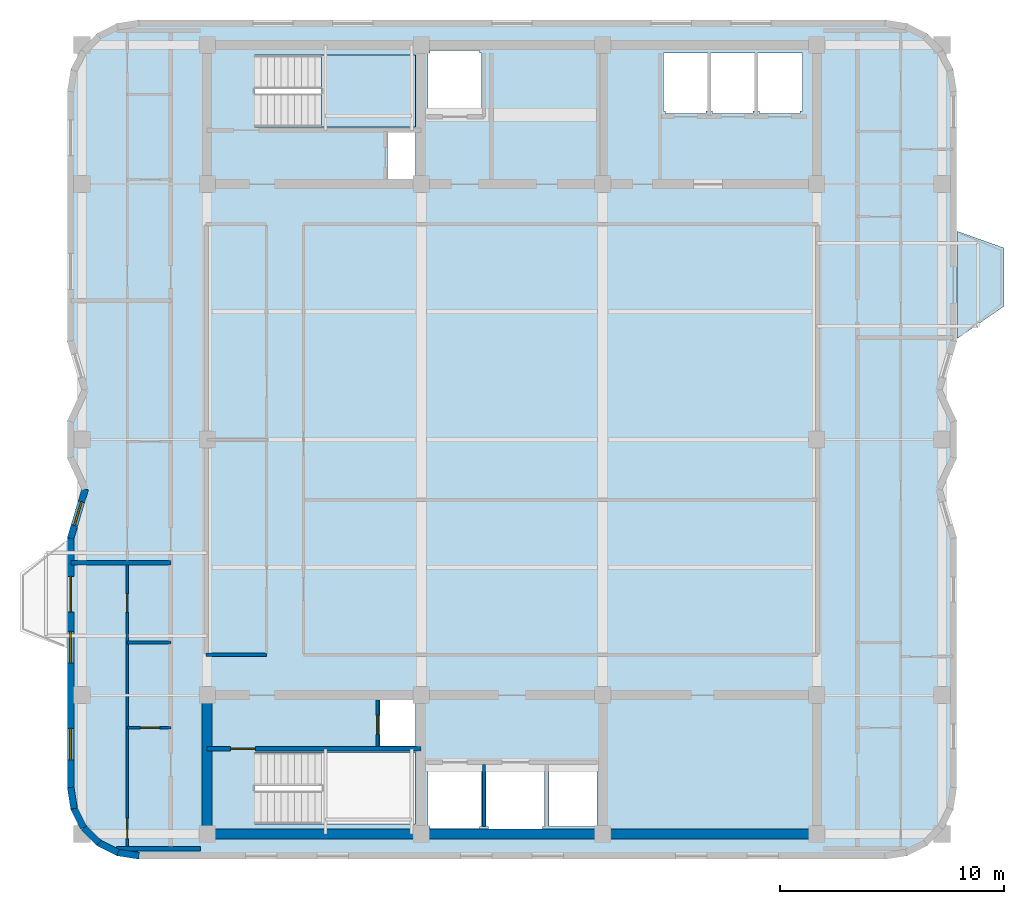
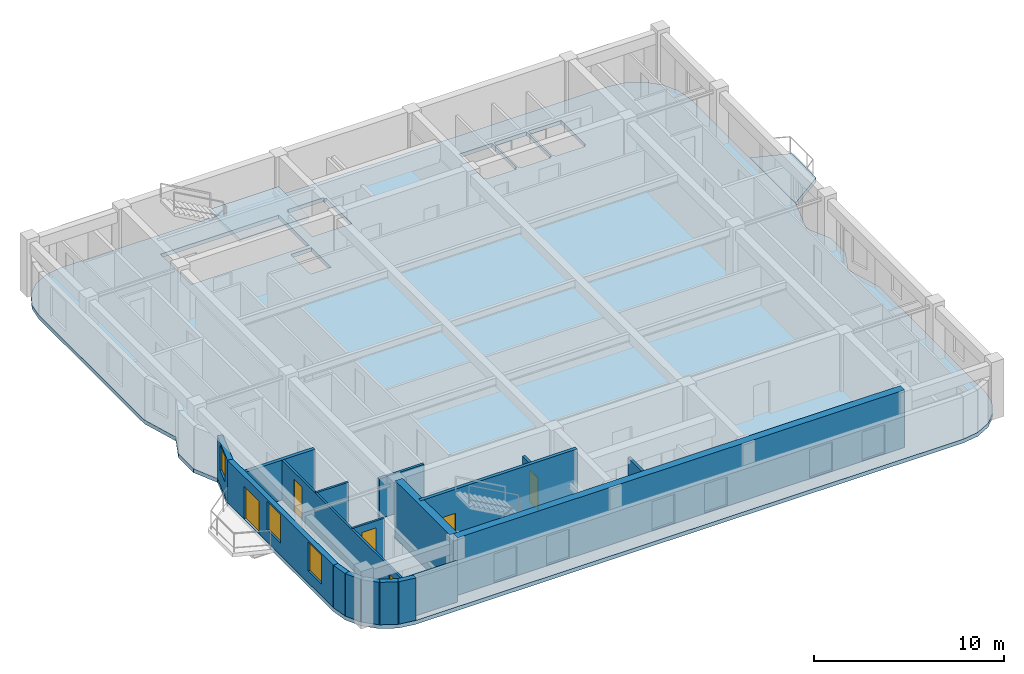
# One storey, part 2 of 8: 18 walls, 6 doors, 3 slabs, 3 windows, 9 openings, 1 element without a shape of its own.
"""IFC4 building model written with IfcOpenShell, lengths in metres."""

from ifc_helpers import new_model, si_unit, direction, frame, frame_2d, origin, place, context, subcontext, project, spatial, polyline, rectangle, outline, extrude, material, layer, layer_set, type_object, element, fill, aggregate, save


model = new_model("IFC4")

# Units and contexts
model_context = context("Model", 3, precision=1e-05, world=origin(), true_north=direction((0.0, 1.0)))
body_context = subcontext(model_context, "Body", "Model", "MODEL_VIEW")
ifc_project = project(units=[si_unit("LENGTHUNIT", "METRE"), si_unit("AREAUNIT", "SQUARE_METRE"), si_unit("VOLUMEUNIT", "CUBIC_METRE"), si_unit("PLANEANGLEUNIT", "RADIAN"), si_unit("MASSUNIT", "GRAM", prefix="KILO")], contexts=[model_context])

# Site, building, storey
site_placement = place(None, origin())
site = spatial("IfcSite", under=ifc_project, at=site_placement, CompositionType="ELEMENT")
building_placement = place(site_placement, origin())
building = spatial("IfcBuilding", under=site, at=building_placement, Name="Svetorya Sky Lyceum", CompositionType="ELEMENT")
storey_placement = place(building_placement, frame((0.0, 0.0, 286.10009765625)))
storey = spatial("IfcBuildingStorey", under=building, at=storey_placement, Name="L72", CompositionType="ELEMENT", Elevation=286.10009765625)

# Slab
ifc_material_1 = material(Name="Concrete C40/50", Category="concrete")
ifc_layer_1 = layer(ifc_material_1, 0.25)
ifc_layer_set_1 = layer_set([ifc_layer_1], Name="Concrete C40/50")
slab_type_1 = type_object("IfcSlabType", Name="SL-BAL-250", PredefinedType="FLOOR", material=ifc_layer_set_1)
slab_1_placement = place(storey_placement, frame((0.0, 0.0, -0.25)))
element("IfcSlab", 1, at=slab_1_placement, inside=storey, type_object=slab_type_1, Name="L72 Chamfered Loggia Balcony BAL-E1", PredefinedType="FLOOR", context=body_context, shape_type="SweptSolid", body=[
    extrude(outline(polyline([(59.050048828125, 32.699951171875), (61.14990234375, 34.14990234375), (61.14990234375, 36.75), (59.050048828125, 37.5), (59.050048828125, 32.699951171875)])), origin(), (0.0, 0.0, 1.0), 0.25),
])

# Stair, slab
stair_type = type_object("IfcStairType", Name="STR-ST-N", PredefinedType="HALF_TURN_STAIR", material=ifc_material_1)
stair_placement = place(storey_placement, origin())
stair = element("IfcStair", 2, at=stair_placement, inside=storey, type_object=stair_type, Name="L72 North Core Smoke-Free Exit Stair N3", PredefinedType="HALF_TURN_STAIR")
ifc_layer_2 = layer(ifc_material_1, 0.199951171875)
ifc_layer_set_2 = layer_set([ifc_layer_2], Name="Concrete C40/50")
slab_type_2 = type_object("IfcSlabType", Name="SL-STR-LAND-200", PredefinedType="LANDING", material=ifc_layer_set_2)
slab_2_placement = place(storey_placement, frame((0.0, 0.0, 1.64990234375)))
slab_2 = element("IfcSlab", 3, at=slab_2_placement, type_object=slab_type_2, Name="ST-N landing 1", PredefinedType="LANDING", context=body_context, shape_type="SweptSolid", body=[
    extrude(outline(polyline([(30.699951171875, 42.14990234375), (34.89990234375, 42.14990234375), (34.89990234375, 45.35009765625), (30.699951171875, 45.35009765625), (30.699951171875, 42.14990234375)])), origin(), (0.0, 0.0, 1.0), 0.199951171875),
])
aggregate(stair, [slab_2])

# Slab
ifc_layer_3 = layer(ifc_material_1, 0.25)
ifc_layer_set_3 = layer_set([ifc_layer_3], Name="Concrete C40/50")
slab_type_3 = type_object("IfcSlabType", Name="SL-TWR-250", PredefinedType="FLOOR", material=ifc_layer_set_3)
slab_3_placement = place(storey_placement, frame((0.0, 0.0, -0.25)))
element("IfcSlab", 4, at=slab_3_placement, inside=storey, type_object=slab_type_3, Name="L72 Structural Floor Slab", PredefinedType="FLOOR", context=body_context, shape_type="SweptSolid", body=[
    extrude(outline(polyline([(19.360107421875, 12.679931640625), (19.5166015625, 11.691162109375), (19.97119140625, 10.799072265625), (20.67919921875, 10.091064453125), (21.571044921875, 9.63671875), (22.56005859375, 9.47998046875), (55.840087890625, 9.47998046875), (56.828857421875, 9.63671875), (57.720947265625, 10.091064453125), (58.428955078125, 10.799072265625), (58.88330078125, 11.691162109375), (59.0400390625, 12.679931640625), (59.0400390625, 23.800048828125), (58.389892578125, 26.0), (59.0400390625, 27.39990234375), (59.0400390625, 29.0), (58.389892578125, 30.39990234375), (59.0400390625, 32.60009765625), (59.0400390625, 43.719970703125), (58.88330078125, 44.708984375), (58.428955078125, 45.600830078125), (57.720947265625, 46.308837890625), (56.828857421875, 46.763427734375), (55.840087890625, 46.919921875), (22.56005859375, 46.919921875), (21.571044921875, 46.763427734375), (20.67919921875, 46.308837890625), (19.97119140625, 45.600830078125), (19.5166015625, 44.708984375), (19.360107421875, 43.719970703125), (19.360107421875, 32.60009765625), (20.010009765625, 30.39990234375), (19.360107421875, 29.0), (19.360107421875, 27.39990234375), (20.010009765625, 26.0), (19.360107421875, 23.800048828125), (19.360107421875, 12.679931640625)]), holes=[polyline([(37.85009765625, 10.949951171875), (37.75, 10.949951171875), (37.75, 10.85009765625), (35.550048828125, 10.85009765625), (35.550048828125, 10.949951171875), (35.449951171875, 10.949951171875), (35.449951171875, 13.64990234375), (35.550048828125, 13.64990234375), (37.75, 13.64990234375), (37.85009765625, 13.64990234375), (37.85009765625, 10.949951171875)]), polyline([(38.14990234375, 10.800048828125), (38.14990234375, 10.949951171875), (38.050048828125, 10.949951171875), (38.050048828125, 13.64990234375), (38.14990234375, 13.64990234375), (38.14990234375, 13.699951171875), (40.550048828125, 13.699951171875), (40.550048828125, 13.64990234375), (40.64990234375, 13.64990234375), (40.64990234375, 10.949951171875), (40.550048828125, 10.949951171875), (40.550048828125, 10.800048828125), (38.14990234375, 10.800048828125)]), polyline([(27.719970703125, 11.050048828125), (27.719970703125, 14.25), (34.89990234375, 14.25), (34.89990234375, 11.050048828125), (27.719970703125, 11.050048828125)]), polyline([(33.300048828125, 14.52001953125), (33.300048828125, 16.580078125), (34.89990234375, 16.580078125), (34.89990234375, 14.52001953125), (33.300048828125, 14.52001953125)]), polyline([(33.64990234375, 39.820068359375), (33.64990234375, 41.89990234375), (34.89990234375, 41.89990234375), (34.89990234375, 39.820068359375), (33.64990234375, 39.820068359375)]), polyline([(27.719970703125, 42.14990234375), (27.719970703125, 45.35009765625), (34.89990234375, 45.35009765625), (34.89990234375, 42.14990234375), (27.719970703125, 42.14990234375)]), polyline([(37.75, 42.75), (35.550048828125, 42.75), (35.449951171875, 42.75), (35.449951171875, 45.449951171875), (35.550048828125, 45.449951171875), (35.550048828125, 45.550048828125), (37.75, 45.550048828125), (37.75, 45.449951171875), (37.85009765625, 45.449951171875), (37.85009765625, 42.75), (37.75, 42.75)]), polyline([(40.85009765625, 10.949951171875), (40.85009765625, 13.64990234375), (43.0, 13.64990234375), (43.0, 10.949951171875), (40.85009765625, 10.949951171875)]), polyline([(46.050048828125, 42.75), (46.050048828125, 42.85009765625), (45.949951171875, 42.85009765625), (45.949951171875, 45.449951171875), (46.050048828125, 45.449951171875), (47.85009765625, 45.449951171875), (47.949951171875, 45.449951171875), (47.949951171875, 42.85009765625), (47.85009765625, 42.85009765625), (47.85009765625, 42.75), (46.050048828125, 42.75)]), polyline([(50.050048828125, 42.85009765625), (49.949951171875, 42.85009765625), (49.949951171875, 42.75), (48.14990234375, 42.75), (48.14990234375, 42.85009765625), (48.050048828125, 42.85009765625), (48.050048828125, 45.449951171875), (48.14990234375, 45.449951171875), (49.949951171875, 45.449951171875), (50.050048828125, 45.449951171875), (50.050048828125, 42.85009765625)]), polyline([(52.14990234375, 42.85009765625), (52.050048828125, 42.85009765625), (52.050048828125, 42.75), (50.25, 42.75), (50.25, 42.85009765625), (50.14990234375, 42.85009765625), (50.14990234375, 45.449951171875), (50.25, 45.449951171875), (52.050048828125, 45.449951171875), (52.14990234375, 45.449951171875), (52.14990234375, 42.85009765625)])]), origin(), (0.0, 0.0, 1.0), 0.25),
])

# Walls
ifc_material_2 = material(Name="Concrete C50/60", Category="concrete")
ifc_layer_4 = layer(ifc_material_2, 0.449951171875)
ifc_layer_set_4 = layer_set([ifc_layer_4], Name="Concrete C50/60")
wall_type_1 = type_object("IfcWallType", Name="WL-CORE-450", PredefinedType="SHEAR", material=ifc_layer_set_4)
wall_1_placement = place(storey_placement, frame((52.800048828125, 10.60009765625, 0.0), z_axis=(0.0, 0.0, 1.0), x_axis=(-1.0, 0.0, 0.0)))
element("IfcWall", 5, at=wall_1_placement, inside=storey, type_object=wall_type_1, Name="L72 SC Outer Core Shear Wall", PredefinedType="SHEAR", context=body_context, shape_type="SweptSolid", body=[
    extrude(rectangle(XDim=27.199951171875, YDim=0.449951171875, at=frame_2d((13.60009765625, 0.0))), origin(), (0.0, 0.0, 1.0), 3.699951171875),
])
wall_2_placement = place(storey_placement, frame((25.60009765625, 10.824951171875, 0.0), z_axis=(0.0, 0.0, 1.0), x_axis=(0.0, 1.0, 0.0)))
element("IfcWall", 6, at=wall_2_placement, inside=storey, type_object=wall_type_1, Name="L72 SC West Core Shear Wall", PredefinedType="SHEAR", context=body_context, shape_type="SweptSolid", body=[
    extrude(rectangle(XDim=5.75, YDim=0.449951171875, at=frame_2d((2.875, 0.0))), origin(), (0.0, 0.0, 1.0), 3.699951171875),
])
ifc_material_3 = material(Name="Putilovo limestone rainscreen on autoclaved cellular masonry", Category="masonry")
ifc_layer_5 = layer(ifc_material_3, 0.300048828125)
ifc_layer_set_5 = layer_set([ifc_layer_5], Name="Putilovo limestone rainscreen on autoclaved cellular masonry")
wall_type_2 = type_object("IfcWallType", Name="WL-EXT-300", PredefinedType="SOLIDWALL", material=ifc_layer_set_5)
wall_3_placement = place(storey_placement, frame((19.510009765625, 12.679931640625, 0.0), z_axis=(0.0, 0.0, 1.0), x_axis=(0.156343617883, -0.987702725088, 0.0)))
element("IfcWall", 7, at=wall_3_placement, inside=storey, type_object=wall_type_2, Name="L72 Limestone Exterior Wall 1M", PredefinedType="SOLIDWALL", context=body_context, shape_type="SweptSolid", body=[
    extrude(rectangle(XDim=0.9541015625, YDim=0.300048828125, at=frame_2d((0.47705078125, 0.0))), origin(), (0.0, 0.0, 1.0), 2.72998046875),
])
for number, where, z_axis, x_axis, name in (
    (8, (19.6591796875, 11.737548828125, 0.0), (0.0, 0.0, 1.0), (0.454056065666, -0.890973113642, 0.0), "L72 Limestone Exterior Wall 2M"),
    (9, (20.092529296875, 10.88720703125, 0.0), (0.0, 0.0, 1.0), (0.707106781187, -0.707106781187, 0.0), "L72 Limestone Exterior Wall 3M"),
):
    element("IfcWall", number, at=place(storey_placement, frame(where, z_axis=z_axis, x_axis=x_axis)), inside=storey, type_object=wall_type_2, Name=name, PredefinedType="SOLIDWALL", context=body_context, shape_type="SweptSolid", body=[
        extrude(rectangle(XDim=0.954345703125, YDim=0.300048828125, at=frame_2d((0.47705078125, 0.0))), origin(), (0.0, 0.0, 1.0), 2.72998046875),
    ])
wall_4_placement = place(storey_placement, frame((20.767333984375, 10.21240234375, 0.0), z_axis=(0.0, 0.0, 1.0), x_axis=(0.891023873617, -0.45395644796, 0.0)))
element("IfcWall", 10, at=wall_4_placement, inside=storey, type_object=wall_type_2, Name="L72 Limestone Exterior Wall 4M", PredefinedType="SOLIDWALL", context=body_context, shape_type="SweptSolid", body=[
    extrude(rectangle(XDim=0.9541015625, YDim=0.300048828125, at=frame_2d((0.47705078125, 0.0))), origin(), (0.0, 0.0, 1.0), 2.72998046875),
])
wall_5_placement = place(storey_placement, frame((21.617431640625, 9.779296875, 0.0), z_axis=(0.0, 0.0, 1.0), x_axis=(0.987669453596, -0.156553666304, 0.0)))
element("IfcWall", 11, at=wall_5_placement, inside=storey, type_object=wall_type_2, Name="L72 Limestone Exterior Wall 5M", PredefinedType="SOLIDWALL", context=body_context, shape_type="SweptSolid", body=[
    extrude(rectangle(XDim=0.954345703125, YDim=0.300048828125, at=frame_2d((0.47705078125, 0.0))), origin(), (0.0, 0.0, 1.0), 2.72998046875),
])

# Wall, opening, window
wall_6_placement = place(storey_placement, frame((20.159912109375, 26.0, 0.0), z_axis=(0.0, 0.0, 1.0), x_axis=(-0.283312771328, -0.959027566654, 0.0)))
wall_6 = element("IfcWall", 12, at=wall_6_placement, inside=storey, type_object=wall_type_2, Name="L72 Limestone Exterior Wall 35M", PredefinedType="SOLIDWALL", context=body_context, shape_type="SweptSolid", body=[
    extrude(rectangle(XDim=2.2939453125, YDim=0.300048828125, at=frame_2d((1.14697265625, 0.0))), origin(), (0.0, 0.0, 1.0), 2.72998046875),
])
opening_1_placement = place(wall_6_placement, frame((0.596923828125, 0.0, 0.919921875)))
opening_1 = element("IfcOpeningElement", 13, at=opening_1_placement, cuts=wall_6, Name="Opening W-R3", PredefinedType="OPENING", context=body_context, shape_type="SweptSolid", body=[
    extrude(rectangle(XDim=1.10009765625, YDim=1.64990234375, at=frame_2d((0.550048828125, 0.824951171875))), frame((0.0, 0.159912109375, 0.0), z_axis=(0.0, -1.0, 0.0), x_axis=(1.0, 0.0, 0.0)), (0.0, 0.0, 1.0), 0.320068359375),
])
ifc_material_4 = material(Name="Thermally broken aluminium frame with triple low-E glazing", Category="aluminium")
window_type_1 = type_object("IfcWindowType", Name="WN-RES-110", PartitioningType="SINGLE_PANEL", PredefinedType="WINDOW", material=ifc_material_4)
window_1_placement = place(opening_1_placement, origin())
window_1 = element("IfcWindow", 14, at=window_1_placement, inside=storey, type_object=window_type_1, Name="L72 Facade Window W-R3.35M.1", OverallHeight=1.64990234375, OverallWidth=1.10009765625, PartitioningType="SINGLE_PANEL", PredefinedType="WINDOW", context=body_context, shape_type="SweptSolid", body=[
    extrude(rectangle(XDim=1.10009765625, YDim=1.64990234375, at=frame_2d((0.550048828125, 0.824951171875))), frame((0.0, 0.030029296875, 0.0), z_axis=(0.0, -1.0, 0.0), x_axis=(1.0, 0.0, 0.0)), (0.0, 0.0, 1.0), 0.06005859375),
])
fill(opening_1, window_1)

# Wall, openings, door, windows
wall_7_placement = place(storey_placement, frame((19.510009765625, 23.800048828125, 0.0), z_axis=(0.0, 0.0, 1.0), x_axis=(0.0, -1.0, 0.0)))
wall_7 = element("IfcWall", 15, at=wall_7_placement, inside=storey, type_object=wall_type_2, Name="L72 Limestone Exterior Wall 36M", PredefinedType="SOLIDWALL", context=body_context, shape_type="SweptSolid", body=[
    extrude(rectangle(XDim=11.1201171875, YDim=0.300048828125, at=frame_2d((5.56005859375, 0.0))), origin(), (0.0, 0.0, 1.0), 2.72998046875),
])
opening_2_placement = place(wall_7_placement, frame((1.699951171875, 0.0, 0.0)))
opening_2 = element("IfcOpeningElement", 16, at=opening_2_placement, cuts=wall_7, Name="Opening D-BL1", PredefinedType="OPENING", context=body_context, shape_type="SweptSolid", body=[
    extrude(rectangle(XDim=1.60009765625, YDim=2.10009765625, at=frame_2d((0.800048828125, 1.050048828125))), frame((0.0, 0.159912109375, 0.0), z_axis=(0.0, -1.0, 0.0), x_axis=(1.0, 0.0, 0.0)), (0.0, 0.0, 1.0), 0.320068359375),
])
opening_3_placement = place(wall_7_placement, frame((4.159912109375, 0.0, 0.760009765625)))
opening_3 = element("IfcOpeningElement", 17, at=opening_3_placement, cuts=wall_7, Name="Opening W-R2", PredefinedType="OPENING", context=body_context, shape_type="SweptSolid", body=[
    extrude(rectangle(XDim=1.39990234375, YDim=1.85009765625, at=frame_2d((0.699951171875, 0.925048828125))), frame((0.0, 0.159912109375, 0.0), z_axis=(0.0, -1.0, 0.0), x_axis=(1.0, 0.0, 0.0)), (0.0, 0.0, 1.0), 0.320068359375),
])
opening_4_placement = place(wall_7_placement, frame((8.4833984375, 0.0, 0.760009765625)))
opening_4 = element("IfcOpeningElement", 18, at=opening_4_placement, cuts=wall_7, Name="Opening W-R2", PredefinedType="OPENING", context=body_context, shape_type="SweptSolid", body=[
    extrude(rectangle(XDim=1.39990234375, YDim=1.85009765625, at=frame_2d((0.699951171875, 0.925048828125))), frame((0.0, 0.159912109375, 0.0), z_axis=(0.0, -1.0, 0.0), x_axis=(1.0, 0.0, 0.0)), (0.0, 0.0, 1.0), 0.320068359375),
])
ifc_material_5 = material(Name="Insulated glazed aluminium balcony door", Category="aluminium")
door_type_1 = type_object("IfcDoorType", Name="DR-BAL-1600", OperationType="DOUBLE_DOOR_SINGLE_SWING", PredefinedType="DOOR", material=ifc_material_5)
door_1_placement = place(opening_2_placement, origin())
door_1 = element("IfcDoor", 19, at=door_1_placement, inside=storey, type_object=door_type_1, Name="L72 Balcony BAL-W1 Door", OperationType="DOUBLE_DOOR_SINGLE_SWING", OverallHeight=2.10009765625, OverallWidth=1.60009765625, PredefinedType="DOOR", context=body_context, shape_type="SweptSolid", body=[
    extrude(rectangle(XDim=1.60009765625, YDim=2.10009765625, at=frame_2d((0.800048828125, 1.050048828125))), frame((0.0, 0.02490234375, 0.0), z_axis=(0.0, -1.0, 0.0), x_axis=(1.0, 0.0, 0.0)), (0.0, 0.0, 1.0), 0.050048828125),
])
fill(opening_2, door_1)
window_type_2 = type_object("IfcWindowType", Name="WN-RES-140", PartitioningType="SINGLE_PANEL", PredefinedType="WINDOW", material=ifc_material_4)
window_2_placement = place(opening_3_placement, origin())
window_2 = element("IfcWindow", 20, at=window_2_placement, inside=storey, type_object=window_type_2, Name="L72 Facade Window W-R2.36M.1", OverallHeight=1.85009765625, OverallWidth=1.39990234375, PartitioningType="SINGLE_PANEL", PredefinedType="WINDOW", context=body_context, shape_type="SweptSolid", body=[
    extrude(rectangle(XDim=1.39990234375, YDim=1.85009765625, at=frame_2d((0.699951171875, 0.925048828125))), frame((0.0, 0.030029296875, 0.0), z_axis=(0.0, -1.0, 0.0), x_axis=(1.0, 0.0, 0.0)), (0.0, 0.0, 1.0), 0.06005859375),
])
fill(opening_3, window_2)
window_3_placement = place(opening_4_placement, origin())
window_3 = element("IfcWindow", 21, at=window_3_placement, inside=storey, type_object=window_type_2, Name="L72 Facade Window W-R2.36M.2", OverallHeight=1.85009765625, OverallWidth=1.39990234375, PartitioningType="SINGLE_PANEL", PredefinedType="WINDOW", context=body_context, shape_type="SweptSolid", body=[
    extrude(rectangle(XDim=1.39990234375, YDim=1.85009765625, at=frame_2d((0.699951171875, 0.925048828125))), frame((0.0, 0.030029296875, 0.0), z_axis=(0.0, -1.0, 0.0), x_axis=(1.0, 0.0, 0.0)), (0.0, 0.0, 1.0), 0.06005859375),
])
fill(opening_4, window_3)

# Wall, opening, door
ifc_material_6 = material(Name="Twin-stud galvanized framing with double fireboard", Category="gypsum")
ifc_layer_6 = layer(ifc_material_6, 0.1201171875)
ifc_layer_set_6 = layer_set([ifc_layer_6], Name="Twin-stud galvanized framing with double fireboard")
wall_type_3 = type_object("IfcWallType", Name="WL-PART-120", PredefinedType="PARTITIONING", material=ifc_layer_set_6)
wall_8_placement = place(storey_placement, frame((22.030029296875, 15.35009765625, 0.0), z_axis=(0.0, 0.0, 1.0), x_axis=(1.0, 0.0, 0.0)))
wall_8 = element("IfcWall", 22, at=wall_8_placement, inside=storey, type_object=wall_type_3, Name="L72 Interior Partition W1-WH1", PredefinedType="PARTITIONING", context=body_context, shape_type="SweptSolid", body=[
    extrude(rectangle(XDim=1.949951171875, YDim=0.1201171875, at=frame_2d((0.97509765625, 0.0))), origin(), (0.0, 0.0, 1.0), 2.559814453125),
])
opening_5_placement = place(wall_8_placement, frame((0.60009765625, 0.0, 0.0)))
opening_5 = element("IfcOpeningElement", 23, at=opening_5_placement, cuts=wall_8, Name="Opening D-BT1", PredefinedType="OPENING", context=body_context, shape_type="SweptSolid", body=[
    extrude(rectangle(XDim=0.85009765625, YDim=2.10009765625, at=frame_2d((0.425048828125, 1.050048828125))), frame((0.0, 0.070068359375, 0.0), z_axis=(0.0, -1.0, 0.0), x_axis=(1.0, 0.0, 0.0)), (0.0, 0.0, 1.0), 0.14013671875),
])
ifc_material_7 = material(Name="Moisture-resistant laminate bathroom door")
door_type_2 = type_object("IfcDoorType", Name="DR-WET-850", OperationType="SINGLE_SWING_LEFT", PredefinedType="DOOR", material=ifc_material_7)
door_2_placement = place(opening_5_placement, origin())
door_2 = element("IfcDoor", 24, at=door_2_placement, inside=storey, type_object=door_type_2, Name="Apartment W1 Bathroom Door", OperationType="SINGLE_SWING_LEFT", OverallHeight=2.10009765625, OverallWidth=0.85009765625, PredefinedType="DOOR", context=body_context, shape_type="SweptSolid", body=[
    extrude(rectangle(XDim=0.85009765625, YDim=2.10009765625, at=frame_2d((0.425048828125, 1.050048828125))), frame((0.0, 0.02490234375, 0.0), z_axis=(0.0, -1.0, 0.0), x_axis=(1.0, 0.0, 0.0)), (0.0, 0.0, 1.0), 0.050048828125),
])
fill(opening_5, door_2)

# Wall
wall_9_placement = place(storey_placement, frame((22.030029296875, 19.14990234375, 0.0), z_axis=(0.0, 0.0, 1.0), x_axis=(1.0, 0.0, 0.0)))
element("IfcWall", 25, at=wall_9_placement, inside=storey, type_object=wall_type_3, Name="L72 Interior Partition W1-WH2", PredefinedType="PARTITIONING", context=body_context, shape_type="SweptSolid", body=[
    extrude(rectangle(XDim=1.949951171875, YDim=0.1201171875, at=frame_2d((0.97509765625, 0.0))), origin(), (0.0, 0.0, 1.0), 2.559814453125),
])

# Wall, openings, doors
wall_10_placement = place(storey_placement, frame((22.030029296875, 9.989990234375, 0.0), z_axis=(0.0, 0.0, 1.0), x_axis=(0.0, 1.0, 0.0)))
wall_10 = element("IfcWall", 26, at=wall_10_placement, inside=storey, type_object=wall_type_3, Name="L72 Interior Partition W1-WV", PredefinedType="PARTITIONING", context=body_context, shape_type="SweptSolid", body=[
    extrude(rectangle(XDim=12.669921875, YDim=0.1201171875, at=frame_2d((6.3349609375, 0.0))), origin(), (0.0, 0.0, 1.0), 2.559814453125),
])
opening_6_placement = place(wall_10_placement, frame((0.409912109375, 0.0, 0.0)))
opening_6 = element("IfcOpeningElement", 27, at=opening_6_placement, cuts=wall_10, Name="Opening D-RM1", PredefinedType="OPENING", context=body_context, shape_type="SweptSolid", body=[
    extrude(rectangle(XDim=0.89990234375, YDim=2.10009765625, at=frame_2d((0.449951171875, 1.050048828125))), frame((0.0, 0.070068359375, 0.0), z_axis=(0.0, -1.0, 0.0), x_axis=(1.0, 0.0, 0.0)), (0.0, 0.0, 1.0), 0.14013671875),
])
opening_7_placement = place(wall_10_placement, frame((10.510009765625, 0.0, 0.0)))
opening_7 = element("IfcOpeningElement", 28, at=opening_7_placement, cuts=wall_10, Name="Opening D-BT2", PredefinedType="OPENING", context=body_context, shape_type="SweptSolid", body=[
    extrude(rectangle(XDim=0.820068359375, YDim=2.080078125, at=frame_2d((0.41015625, 1.0400390625))), frame((0.0, 0.070068359375, 0.0), z_axis=(0.0, -1.0, 0.0), x_axis=(1.0, 0.0, 0.0)), (0.0, 0.0, 1.0), 0.14013671875),
])
ifc_material_8 = material(Name="Lacquered birch veneer internal door")
door_type_3 = type_object("IfcDoorType", Name="DR-INT-900", OperationType="SINGLE_SWING_LEFT", PredefinedType="DOOR", material=ifc_material_8)
door_3_placement = place(opening_6_placement, origin())
door_3 = element("IfcDoor", 29, at=door_3_placement, inside=storey, type_object=door_type_3, Name="Apartment W1 Living Door", OperationType="SINGLE_SWING_RIGHT", OverallHeight=2.10009765625, OverallWidth=0.89990234375, PredefinedType="DOOR", context=body_context, shape_type="SweptSolid", body=[
    extrude(rectangle(XDim=0.89990234375, YDim=2.10009765625, at=frame_2d((0.449951171875, 1.050048828125))), frame((0.0, 0.02490234375, 0.0), z_axis=(0.0, -1.0, 0.0), x_axis=(1.0, 0.0, 0.0)), (0.0, 0.0, 1.0), 0.050048828125),
])
fill(opening_6, door_3)
ifc_material_9 = material(Name="Compact moisture-resistant laminate closet door")
door_type_4 = type_object("IfcDoorType", Name="DR-WET-820", OperationType="SINGLE_SWING_LEFT", PredefinedType="DOOR", material=ifc_material_9)
door_4_placement = place(opening_7_placement, origin())
door_4 = element("IfcDoor", 30, at=door_4_placement, inside=storey, type_object=door_type_4, Name="Apartment W1 Study Door", OperationType="SINGLE_SWING_LEFT", OverallHeight=2.080078125, OverallWidth=0.820068359375, PredefinedType="DOOR", context=body_context, shape_type="SweptSolid", body=[
    extrude(rectangle(XDim=0.820068359375, YDim=2.080078125, at=frame_2d((0.41015625, 1.0400390625))), frame((0.0, 0.02490234375, 0.0), z_axis=(0.0, -1.0, 0.0), x_axis=(1.0, 0.0, 0.0)), (0.0, 0.0, 1.0), 0.050048828125),
])
fill(opening_7, door_4)

# Wall, opening, door
ifc_material_10 = material(Name="Autoclaved cellular masonry blockwork with acoustic render", Category="masonry")
ifc_layer_7 = layer(ifc_material_10, 0.14990234375)
ifc_layer_set_7 = layer_set([ifc_layer_7], Name="Autoclaved cellular masonry blockwork with acoustic render")
wall_type_4 = type_object("IfcWallType", Name="WL-PART-150", PredefinedType="PARTITIONING", material=ifc_layer_set_7)
wall_11_placement = place(storey_placement, frame((33.199951171875, 14.5, 0.0), z_axis=(0.0, 0.0, 1.0), x_axis=(0.0, 1.0, 0.0)))
wall_11 = element("IfcWall", 31, at=wall_11_placement, inside=storey, type_object=wall_type_4, Name="L72 Interior Partition SC-AIRDIV", PredefinedType="PARTITIONING", context=body_context, shape_type="SweptSolid", body=[
    extrude(rectangle(XDim=2.080078125, YDim=0.14990234375, at=frame_2d((1.0400390625, 0.0))), origin(), (0.0, 0.0, 1.0), 2.559814453125),
])
opening_8_placement = place(wall_11_placement, frame((0.550048828125, 0.0, 0.0)))
opening_8 = element("IfcOpeningElement", 32, at=opening_8_placement, cuts=wall_11, Name="Opening D-SH1", PredefinedType="OPENING", context=body_context, shape_type="SweptSolid", body=[
    extrude(rectangle(XDim=0.85009765625, YDim=2.050048828125, at=frame_2d((0.425048828125, 1.02490234375))), frame((0.0, 0.0849609375, 0.0), z_axis=(0.0, -1.0, 0.0), x_axis=(1.0, 0.0, 0.0)), (0.0, 0.0, 1.0), 0.169921875),
])
ifc_material_11 = material(Name="Insulated galvanized riser inspection fire door")
door_type_5 = type_object("IfcDoorType", Name="DR-SHFT-850", OperationType="SINGLE_SWING_LEFT", PredefinedType="TRAPDOOR", material=ifc_material_11)
door_5_placement = place(opening_8_placement, origin())
door_5 = element("IfcDoor", 33, at=door_5_placement, inside=storey, type_object=door_type_5, Name="L72 South Riser Access Door", OperationType="SINGLE_SWING_RIGHT", OverallHeight=2.050048828125, OverallWidth=0.85009765625, PredefinedType="TRAPDOOR", context=body_context, shape_type="SweptSolid", body=[
    extrude(rectangle(XDim=0.85009765625, YDim=2.050048828125, at=frame_2d((0.425048828125, 1.02490234375))), frame((0.0, 0.02490234375, 0.0), z_axis=(0.0, -1.0, 0.0), x_axis=(1.0, 0.0, 0.0)), (0.0, 0.0, 1.0), 0.050048828125),
])
fill(opening_8, door_5)

# Walls
wall_12_placement = place(storey_placement, frame((37.949951171875, 10.949951171875, 0.0), z_axis=(0.0, 0.0, 1.0), x_axis=(0.0, 1.0, 0.0)))
element("IfcWall", 34, at=wall_12_placement, inside=storey, type_object=wall_type_4, Name="L72 Interior Partition SC-SHD1", PredefinedType="PARTITIONING", context=body_context, shape_type="SweptSolid", body=[
    extrude(rectangle(XDim=2.75, YDim=0.14990234375, at=frame_2d((1.375, 0.0))), origin(), (0.0, 0.0, 1.0), 2.559814453125),
])
wall_13_placement = place(storey_placement, frame((25.550048828125, 18.60009765625, 0.0), z_axis=(0.0, 0.0, 1.0), x_axis=(1.0, 0.0, 0.0)))
element("IfcWall", 35, at=wall_13_placement, inside=storey, type_object=wall_type_4, Name="L72 Interior Partition OFF-CS-W", PredefinedType="PARTITIONING", context=body_context, shape_type="SweptSolid", body=[
    extrude(rectangle(XDim=2.699951171875, YDim=0.14990234375, at=frame_2d((1.35009765625, 0.0))), origin(), (0.0, 0.0, 1.0), 2.559814453125),
])
ifc_material_12 = material(Name="Autoclaved cellular masonry blockwork with gypsum plaster", Category="masonry")
ifc_layer_8 = layer(ifc_material_12, 0.199951171875)
ifc_layer_set_8 = layer_set([ifc_layer_8], Name="Autoclaved cellular masonry blockwork with gypsum plaster")
wall_type_5 = type_object("IfcWallType", Name="WL-PART-200", PredefinedType="PARTITIONING", material=ifc_layer_set_8)
wall_14_placement = place(storey_placement, frame((19.530029296875, 22.699951171875, 0.0), z_axis=(0.0, 0.0, 1.0), x_axis=(1.0, 0.0, 0.0)))
element("IfcWall", 36, at=wall_14_placement, inside=storey, type_object=wall_type_5, Name="L72 Interior Partition W-PARTY-1", PredefinedType="PARTITIONING", context=body_context, shape_type="SweptSolid", body=[
    extrude(rectangle(XDim=4.449951171875, YDim=0.199951171875, at=frame_2d((2.22509765625, 0.0))), origin(), (0.0, 0.0, 1.0), 2.559814453125),
])
wall_15_placement = place(storey_placement, frame((21.5458984375, 9.949951171875, 0.0), z_axis=(0.0, 0.0, 1.0), x_axis=(1.0, 0.0, 0.0)))
element("IfcWall", 37, at=wall_15_placement, inside=storey, type_object=wall_type_5, Name="L72 Interior Partition W-CAP-S", PredefinedType="PARTITIONING", context=body_context, shape_type="SweptSolid", body=[
    extrude(rectangle(XDim=3.754150390625, YDim=0.199951171875, at=frame_2d((1.876953125, 0.0))), origin(), (0.0, 0.0, 1.0), 2.559814453125),
])

# Wall, opening, door
ifc_layer_9 = layer(ifc_material_2, 0.199951171875)
ifc_layer_set_9 = layer_set([ifc_layer_9], Name="Concrete C50/60")
wall_type_6 = type_object("IfcWallType", Name="WL-SHW-200", PredefinedType="SHEAR", material=ifc_layer_set_9)
wall_16_placement = place(storey_placement, frame((25.60009765625, 14.39990234375, 0.0), z_axis=(0.0, 0.0, 1.0), x_axis=(1.0, 0.0, 0.0)))
wall_16 = element("IfcWall", 38, at=wall_16_placement, inside=storey, type_object=wall_type_6, Name="L72 Structural Stair Shaft Wall SC-STW", PredefinedType="SHEAR", context=body_context, shape_type="SweptSolid", body=[
    extrude(rectangle(XDim=9.5498046875, YDim=0.199951171875, at=frame_2d((4.77490234375, 0.0))), origin(), (0.0, 0.0, 1.0), 3.699951171875),
])
opening_9_placement = place(wall_16_placement, frame((1.050048828125, 0.0, 0.0)))
opening_9 = element("IfcOpeningElement", 39, at=opening_9_placement, cuts=wall_16, Name="Opening D-ST1", PredefinedType="OPENING", context=body_context, shape_type="SweptSolid", body=[
    extrude(rectangle(XDim=1.10009765625, YDim=2.14990234375, at=frame_2d((0.550048828125, 1.074951171875))), frame((0.0, 0.10986328125, 0.0), z_axis=(0.0, -1.0, 0.0), x_axis=(1.0, 0.0, 0.0)), (0.0, 0.0, 1.0), 0.219970703125),
])
ifc_material_13 = material(Name="Powder-coated insulated galvanized stair fire door")
door_type_6 = type_object("IfcDoorType", Name="DR-FIRE-1100", OperationType="SINGLE_SWING_LEFT", PredefinedType="DOOR", material=ifc_material_13)
door_6_placement = place(opening_9_placement, origin())
door_6 = element("IfcDoor", 40, at=door_6_placement, inside=storey, type_object=door_type_6, Name="L72 Stair ST-S Vestibule Fire Door", OperationType="SINGLE_SWING_LEFT", OverallHeight=2.14990234375, OverallWidth=1.10009765625, PredefinedType="DOOR", context=body_context, shape_type="SweptSolid", body=[
    extrude(rectangle(XDim=1.10009765625, YDim=2.14990234375, at=frame_2d((0.550048828125, 1.074951171875))), frame((0.0, 0.02490234375, 0.0), z_axis=(0.0, -1.0, 0.0), x_axis=(1.0, 0.0, 0.0)), (0.0, 0.0, 1.0), 0.050048828125),
])
fill(opening_9, door_6)

save(model, "model.ifc")
